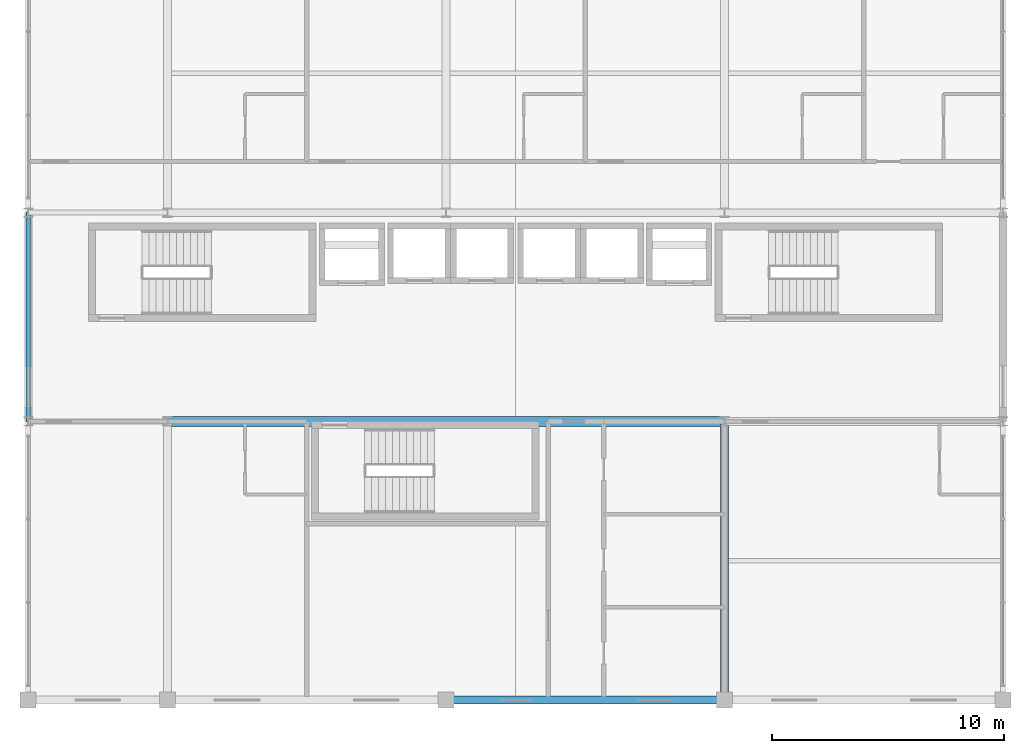
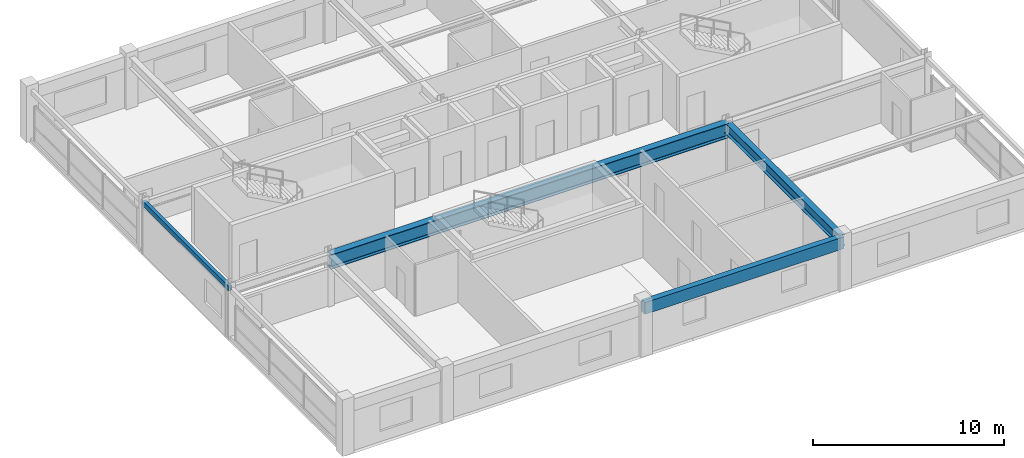
# One storey, part 5 of 22: 4 beams.
"""IFC4 building model written with IfcOpenShell, lengths in metres."""

from ifc_helpers import new_model, si_unit, direction, frame, origin, origin_2d, place, context, subcontext, project, spatial, rectangle, hollow_rectangle, i_section, extrude, material, material_profile, profile_set, type_object, element, save


model = new_model("IFC4")

# Units and contexts
model_context = context("Model", 3, precision=1e-05, world=origin(), true_north=direction((0.0, 1.0)))
body_context = subcontext(model_context, "Body", "Model", "MODEL_VIEW")
ifc_project = project(units=[si_unit("LENGTHUNIT", "METRE"), si_unit("AREAUNIT", "SQUARE_METRE"), si_unit("VOLUMEUNIT", "CUBIC_METRE"), si_unit("PLANEANGLEUNIT", "RADIAN"), si_unit("MASSUNIT", "GRAM", prefix="KILO")], contexts=[model_context])

# Site, building, storey
site_placement = place(None, origin())
site = spatial("IfcSite", under=ifc_project, at=site_placement, CompositionType="ELEMENT")
building_placement = place(site_placement, origin())
building = spatial("IfcBuilding", under=site, at=building_placement, Name="Kaldorvane Square Convention Centre", CompositionType="ELEMENT")
storey_placement = place(building_placement, frame((0.0, 0.0, 63.600006103515625)))
storey = spatial("IfcBuildingStorey", under=building, at=storey_placement, Name="L15", CompositionType="ELEMENT", Elevation=63.600006103515625)

# Beams
ifc_material_1 = material(Name="Steel ASTM A992 Gr. 50", Category="steel")
ifc_material_profile_1 = material_profile(ifc_material_1, i_section(OverallWidth=0.354705810546875, OverallDepth=0.69549560546875, WebThickness=0.0153961181640625, FlangeThickness=0.0251007080078125, FilletRadius=0.01519775390625, at=origin_2d()), Name="W27X146")
ifc_profile_set_1 = profile_set([ifc_material_profile_1], Name="Steel ASTM A992 Gr. 50")
beam_type_1 = type_object("IfcBeamType", Name="BM-GR-W27X146", PredefinedType="BEAM", material=ifc_profile_set_1)
beam_1_placement = place(storey_placement, frame((66.0, 84.0, 2.9381866455078125), z_axis=(0.0, 1.0, 0.0), x_axis=(-1.0, 0.0, 0.0)))
element("IfcBeam", 1, at=beam_1_placement, inside=storey, type_object=beam_type_1, Name="Transverse Girder (L15)", PredefinedType="BEAM", context=body_context, shape_type="SweptSolid", body=[
    extrude(i_section(OverallWidth=0.354705810546875, OverallDepth=0.69549560546875, WebThickness=0.0153961181640625, FlangeThickness=0.0251007080078125, FilletRadius=0.01519775390625, at=origin_2d()), origin(), (0.0, 0.0, 1.0), 12.0),
])
ifc_material_profile_2 = material_profile(ifc_material_1, i_section(OverallWidth=0.418304443359375, OverallDepth=0.926605224609375, WebThickness=0.0193023681640625, FlangeThickness=0.0319976806640625, FilletRadius=0.0240936279296875, at=origin_2d()), Name="W36X231")
ifc_profile_set_2 = profile_set([ifc_material_profile_2], Name="Steel ASTM A992 Gr. 50")
beam_type_2 = type_object("IfcBeamType", Name="BM-GR-W36X231", PredefinedType="BEAM", material=ifc_profile_set_2)
beam_2_placement = place(storey_placement, frame((42.0, 96.0, 2.82269287109375), z_axis=(1.0, 0.0, 0.0), x_axis=(0.0, 1.0, 0.0)))
element("IfcBeam", 2, at=beam_2_placement, inside=storey, type_object=beam_type_2, Name="Primary Girder (L15)", PredefinedType="BEAM", context=body_context, shape_type="SweptSolid", body=[
    extrude(i_section(OverallWidth=0.418304443359375, OverallDepth=0.926605224609375, WebThickness=0.0193023681640625, FlangeThickness=0.0319976806640625, FilletRadius=0.0240936279296875, at=origin_2d()), origin(), (0.0, 0.0, 1.0), 24.0),
])
ifc_material_2 = material(Name="Steel ASTM A500 Gr. C", Category="steel")
ifc_material_profile_3 = material_profile(ifc_material_2, hollow_rectangle(XDim=0.2032012939453125, YDim=0.3047943115234375, WallThickness=0.0088958740234375, at=origin_2d()), Name="HSS12X8X3/8")
ifc_profile_set_3 = profile_set([ifc_material_profile_3], Name="Steel ASTM A500 Gr. C")
beam_type_3 = type_object("IfcBeamType", Name="BM-SP-HSS12", PredefinedType="SPANDREL", material=ifc_profile_set_3)
beam_3_placement = place(storey_placement, frame((36.0, 96.0, 3.1335906982421875), z_axis=(0.0, 1.0, 0.0), x_axis=(-1.0, 0.0, 0.0)))
element("IfcBeam", 3, at=beam_3_placement, inside=storey, type_object=beam_type_3, Name="End Spandrel (L15)", PredefinedType="SPANDREL", context=body_context, shape_type="SweptSolid", body=[
    extrude(hollow_rectangle(XDim=0.2032012939453125, YDim=0.3047943115234375, WallThickness=0.0088958740234375, at=origin_2d()), origin(), (0.0, 0.0, 1.0), 9.0),
])
ifc_material_3 = material(Name="Concrete f'c = 42 MPa (Normalweight)", Category="concrete")
ifc_material_profile_4 = material_profile(ifc_material_3, rectangle(XDim=0.350006103515625, YDim=0.75, at=origin_2d()), Name="RCSP750X350")
ifc_profile_set_4 = profile_set([ifc_material_profile_4], Name="Concrete f'c = 42 MPa (Normalweight)")
beam_type_4 = type_object("IfcBeamType", Name="BM-SP-RC750", PredefinedType="SPANDREL", material=ifc_profile_set_4)
beam_4_placement = place(storey_placement, frame((54.0, 84.0, 2.9109954833984375), z_axis=(1.0, 0.0, 0.0), x_axis=(0.0, 1.0, 0.0)))
element("IfcBeam", 4, at=beam_4_placement, inside=storey, type_object=beam_type_4, Name="Perimeter Spandrel (L15)", PredefinedType="SPANDREL", context=body_context, shape_type="SweptSolid", body=[
    extrude(rectangle(XDim=0.350006103515625, YDim=0.75, at=origin_2d()), origin(), (0.0, 0.0, 1.0), 12.0),
])

save(model, "model.ifc")
